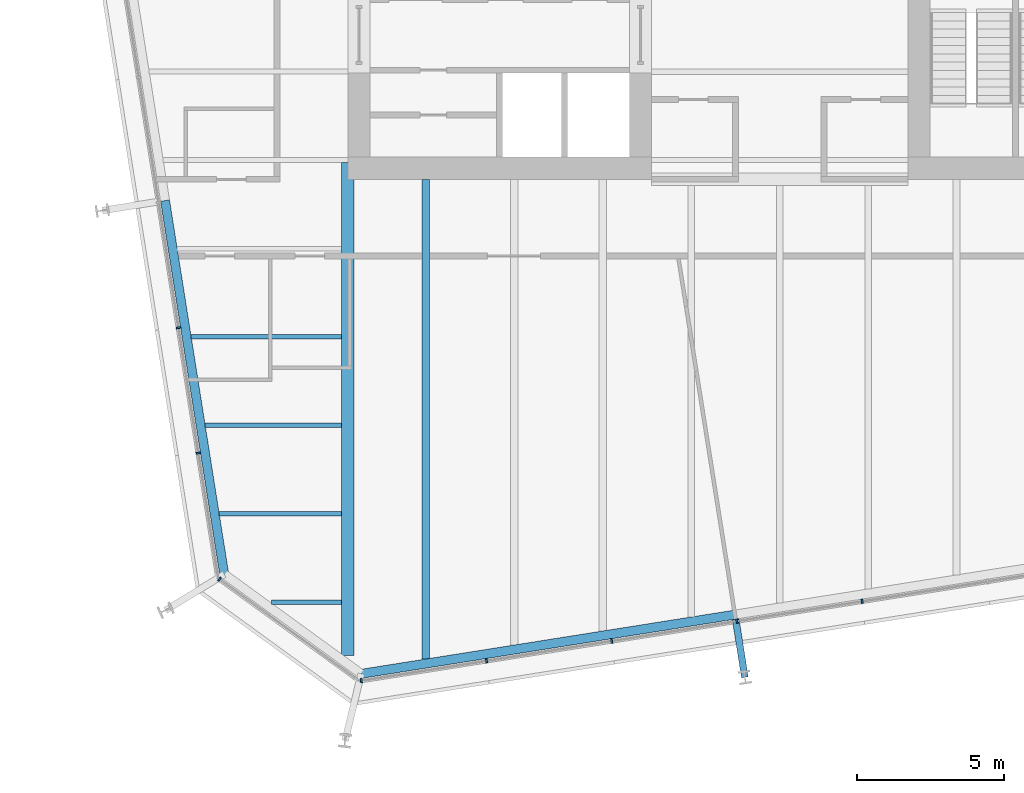
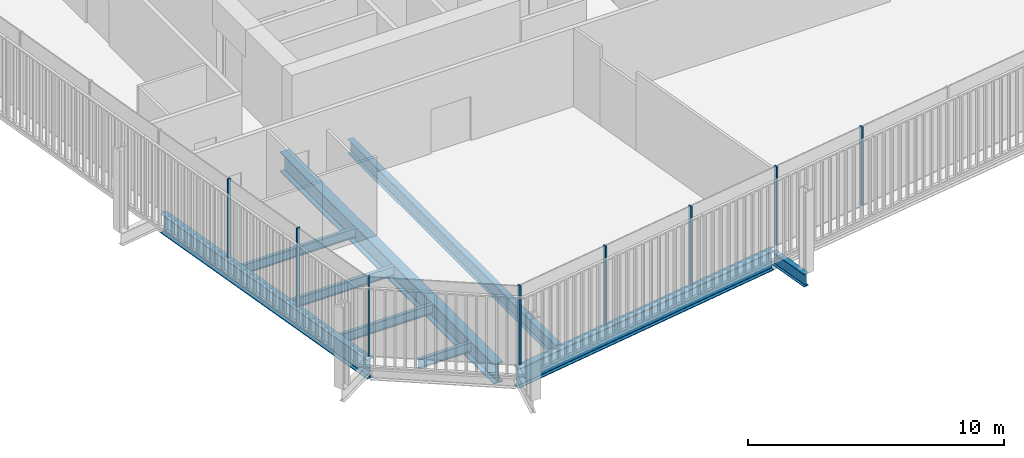
# One storey, part 2 of 21: 9 beams, 8 members, 3 elements without a shape of their own.
"""IFC4 building model written with IfcOpenShell, lengths in metres."""

from ifc_helpers import new_model, si_unit, direction, frame, origin, origin_2d, place, context, subcontext, project, spatial, rectangle, i_section, extrude, material, layer, layer_set, material_profile, profile_set, type_object, element, aggregate, save


model = new_model("IFC4")

# Units and contexts
model_context = context("Model", 3, precision=1e-05, world=origin(), true_north=direction((0.0, 1.0)))
body_context = subcontext(model_context, "Body", "Model", "MODEL_VIEW")
ifc_project = project(units=[si_unit("LENGTHUNIT", "METRE"), si_unit("AREAUNIT", "SQUARE_METRE"), si_unit("VOLUMEUNIT", "CUBIC_METRE"), si_unit("PLANEANGLEUNIT", "RADIAN"), si_unit("MASSUNIT", "GRAM", prefix="KILO")], contexts=[model_context])

# Site, building, storey
site_placement = place(None, origin())
site = spatial("IfcSite", under=ifc_project, at=site_placement, CompositionType="ELEMENT")
building_placement = place(site_placement, origin())
building = spatial("IfcBuilding", under=site, at=building_placement, Name="Millrace Tower", CompositionType="ELEMENT")
storey_placement = place(building_placement, frame((0.0, 0.0, 156.800048828125)))
storey = spatial("IfcBuildingStorey", under=building, at=storey_placement, Name="L35", CompositionType="ELEMENT", Elevation=156.800048828125)

# Curtain wall, member
ifc_material_1 = material(Name="Aluminium and glass", Category="aluminium")
ifc_layer = layer(ifc_material_1, 0.14990234375)
ifc_layer_set = layer_set([ifc_layer], Name="Aluminium and glass")
curtain_wall_type = type_object("IfcCurtainWallType", Name="CW-1 office vision curtain wall", PredefinedType="NOTDEFINED", material=ifc_layer_set)
placement = place(storey_placement, origin())
curtain_wall_1 = element("IfcCurtainWall", 1, at=placement, inside=storey, type_object=curtain_wall_type, Name="Curtain wall C-F01 L35", PredefinedType="NOTDEFINED")
ifc_material_2 = material(Name="Aluminium", Category="aluminium")
ifc_material_profile_1 = material_profile(ifc_material_2, rectangle(XDim=0.06494140625, YDim=0.14990234375, at=origin_2d()))
ifc_profile_set_1 = profile_set([ifc_material_profile_1], Name="Aluminium")
member_type = type_object("IfcMemberType", Name="CW-1 office vision curtain wall mullion", PredefinedType="MULLION", material=ifc_profile_set_1)
member_1_placement = place(storey_placement, frame((-19.00146484375, -23.2177734375, 0.139892578125), z_axis=(0.0, 0.0, 1.0), x_axis=(0.809016981623, -0.587785269844, 0.0)))
member_1 = element("IfcMember", 2, at=member_1_placement, type_object=member_type, Name="CW1 mullion C-F01.1", PredefinedType="MULLION", context=body_context, shape_type="SweptSolid", body=[
    extrude(rectangle(XDim=0.06494140625, YDim=0.14990234375, at=origin_2d()), origin(), (0.0, 0.0, 1.0), 3.760009765625),
])
aggregate(curtain_wall_1, [member_1])

# Curtain wall, members
curtain_wall_2 = element("IfcCurtainWall", 3, at=placement, inside=storey, type_object=curtain_wall_type, Name="Curtain wall C-F02 L35", PredefinedType="NOTDEFINED")
member_2_placement = place(storey_placement, frame((-14.191650390625, -26.65673828125, 0.139892578125), z_axis=(0.0, 0.0, 1.0), x_axis=(0.98768833929, 0.15643447328, 0.0)))
member_2 = element("IfcMember", 4, at=member_2_placement, type_object=member_type, Name="CW1 mullion C-F02.1", PredefinedType="MULLION", context=body_context, shape_type="SweptSolid", body=[
    extrude(rectangle(XDim=0.06494140625, YDim=0.14990234375, at=origin_2d()), origin(), (0.0, 0.0, 1.0), 3.760009765625),
])
member_3_placement = place(storey_placement, frame((-9.944580078125, -25.98388671875, 0.139892578125), z_axis=(0.0, 0.0, 1.0), x_axis=(0.98768833929, 0.15643447328, 0.0)))
member_3 = element("IfcMember", 5, at=member_3_placement, type_object=member_type, Name="CW1 mullion C-F02.2", PredefinedType="MULLION", context=body_context, shape_type="SweptSolid", body=[
    extrude(rectangle(XDim=0.06494140625, YDim=0.14990234375, at=origin_2d()), origin(), (0.0, 0.0, 1.0), 3.760009765625),
])
member_4_placement = place(storey_placement, frame((-5.697509765625, -25.311279296875, 0.139892578125), z_axis=(0.0, 0.0, 1.0), x_axis=(0.98768833929, 0.15643447328, 0.0)))
member_4 = element("IfcMember", 6, at=member_4_placement, type_object=member_type, Name="CW1 mullion C-F02.3", PredefinedType="MULLION", context=body_context, shape_type="SweptSolid", body=[
    extrude(rectangle(XDim=0.06494140625, YDim=0.14990234375, at=origin_2d()), origin(), (0.0, 0.0, 1.0), 3.760009765625),
])
member_5_placement = place(storey_placement, frame((-1.450439453125, -24.638671875, 0.139892578125), z_axis=(0.0, 0.0, 1.0), x_axis=(0.98768833929, 0.15643447328, 0.0)))
member_5 = element("IfcMember", 7, at=member_5_placement, type_object=member_type, Name="CW1 mullion C-F02.4", PredefinedType="MULLION", context=body_context, shape_type="SweptSolid", body=[
    extrude(rectangle(XDim=0.06494140625, YDim=0.14990234375, at=origin_2d()), origin(), (0.0, 0.0, 1.0), 3.760009765625),
])
member_6_placement = place(storey_placement, frame((2.796630859375, -23.966064453125, 0.139892578125), z_axis=(0.0, 0.0, 1.0), x_axis=(0.98768833929, 0.15643447328, 0.0)))
member_6 = element("IfcMember", 8, at=member_6_placement, type_object=member_type, Name="CW1 mullion C-F02.5", PredefinedType="MULLION", context=body_context, shape_type="SweptSolid", body=[
    extrude(rectangle(XDim=0.06494140625, YDim=0.14990234375, at=origin_2d()), origin(), (0.0, 0.0, 1.0), 3.760009765625),
])
aggregate(curtain_wall_2, [member_2, member_3, member_4, member_5, member_6])

curtain_wall_3 = element("IfcCurtainWall", 9, at=placement, inside=storey, type_object=curtain_wall_type, Name="Curtain wall C-F08 L35", PredefinedType="NOTDEFINED")
member_7_placement = place(storey_placement, frame((-20.39794921875, -14.687744140625, 0.139892578125), z_axis=(0.0, 0.0, 1.0), x_axis=(0.15643447328, -0.98768833929, 0.0)))
member_7 = element("IfcMember", 10, at=member_7_placement, type_object=member_type, Name="CW1 mullion C-F08.8", PredefinedType="MULLION", context=body_context, shape_type="SweptSolid", body=[
    extrude(rectangle(XDim=0.06494140625, YDim=0.14990234375, at=origin_2d()), origin(), (0.0, 0.0, 1.0), 3.760009765625),
])
member_8_placement = place(storey_placement, frame((-19.725341796875, -18.934814453125, 0.139892578125), z_axis=(0.0, 0.0, 1.0), x_axis=(0.15643447328, -0.98768833929, 0.0)))
member_8 = element("IfcMember", 11, at=member_8_placement, type_object=member_type, Name="CW1 mullion C-F08.9", PredefinedType="MULLION", context=body_context, shape_type="SweptSolid", body=[
    extrude(rectangle(XDim=0.06494140625, YDim=0.14990234375, at=origin_2d()), origin(), (0.0, 0.0, 1.0), 3.760009765625),
])
aggregate(curtain_wall_3, [member_7, member_8])

# Beams
ifc_material_3 = material(Name="Steel ASTM A992 Grade 50", Category="steel")
ifc_material_profile_2 = material_profile(ifc_material_3, i_section(OverallWidth=0.15234375, OverallDepth=0.449462890625, WebThickness=0.007568359375, FlangeThickness=0.0107421875, FilletRadius=0.01025390625, at=origin_2d()))
ifc_profile_set_2 = profile_set([ifc_material_profile_2], Name="Steel ASTM A992 Grade 50")
beam_type_1 = type_object("IfcBeamType", Name="Floor beam W18x35", PredefinedType="JOIST", material=ifc_profile_set_2)
beam_1_placement = place(storey_placement, frame((-19.01123046875, -21.0, -0.384765625), z_axis=(1.0, 0.0, 0.0), x_axis=(0.0, 1.0, 0.0)))
element("IfcBeam", 12, at=beam_1_placement, inside=storey, type_object=beam_type_1, Name="BM-C-L35-S1-S002", PredefinedType="JOIST", context=body_context, shape_type="SweptSolid", body=[
    extrude(i_section(OverallWidth=0.15234375, OverallDepth=0.449462890625, WebThickness=0.007568359375, FlangeThickness=0.0107421875, FilletRadius=0.01025390625, at=origin_2d()), origin(), (0.0, 0.0, 1.0), 4.151611328125),
])
beam_2_placement = place(storey_placement, frame((-19.486328125, -18.0, -0.384765625), z_axis=(1.0, 0.0, 0.0), x_axis=(0.0, 1.0, 0.0)))
element("IfcBeam", 13, at=beam_2_placement, inside=storey, type_object=beam_type_1, Name="BM-C-L35-S1-S004", PredefinedType="JOIST", context=body_context, shape_type="SweptSolid", body=[
    extrude(i_section(OverallWidth=0.15234375, OverallDepth=0.449462890625, WebThickness=0.007568359375, FlangeThickness=0.0107421875, FilletRadius=0.01025390625, at=origin_2d()), origin(), (0.0, 0.0, 1.0), 4.626708984375),
])
beam_3_placement = place(storey_placement, frame((-19.96142578125, -15.0, -0.384765625), z_axis=(1.0, 0.0, 0.0), x_axis=(0.0, 1.0, 0.0)))
element("IfcBeam", 14, at=beam_3_placement, inside=storey, type_object=beam_type_1, Name="BM-C-L35-S1-S006", PredefinedType="JOIST", context=body_context, shape_type="SweptSolid", body=[
    extrude(i_section(OverallWidth=0.15234375, OverallDepth=0.449462890625, WebThickness=0.007568359375, FlangeThickness=0.0107421875, FilletRadius=0.01025390625, at=origin_2d()), origin(), (0.0, 0.0, 1.0), 5.101806640625),
])
beam_4_placement = place(storey_placement, frame((-17.246337890625, -24.0, -0.384765625), z_axis=(1.0, 0.0, 0.0), x_axis=(0.0, 1.0, 0.0)))
element("IfcBeam", 15, at=beam_4_placement, inside=storey, type_object=beam_type_1, Name="BM-C-L35-S1-S001", PredefinedType="JOIST", context=body_context, shape_type="SweptSolid", body=[
    extrude(i_section(OverallWidth=0.15234375, OverallDepth=0.449462890625, WebThickness=0.007568359375, FlangeThickness=0.0107421875, FilletRadius=0.01025390625, at=origin_2d()), origin(), (0.0, 0.0, 1.0), 2.38671875),
])
ifc_material_4 = material(Name="Steel ASTM A992 Grade 50", Category="steel")
ifc_material_profile_3 = material_profile(ifc_material_4, i_section(OverallWidth=0.256591796875, OverallDepth=0.693359375, WebThickness=0.014404296875, FlangeThickness=0.023681640625, FilletRadius=0.01513671875, at=origin_2d()))
ifc_profile_set_3 = profile_set([ifc_material_profile_3], Name="Steel ASTM A992 Grade 50")
beam_type_2 = type_object("IfcBeamType", Name="Floor beam W27x114", PredefinedType="JOIST", material=ifc_profile_set_3)
beam_5_placement = place(storey_placement, frame((-12.0, -25.92236328125, -0.5068359375), z_axis=(0.0, 1.0, 0.0), x_axis=(-1.0, 0.0, 0.0)))
element("IfcBeam", 16, at=beam_5_placement, inside=storey, type_object=beam_type_2, Name="BM-C-L35-S1-S040", PredefinedType="JOIST", context=body_context, shape_type="SweptSolid", body=[
    extrude(i_section(OverallWidth=0.256591796875, OverallDepth=0.693359375, WebThickness=0.014404296875, FlangeThickness=0.023681640625, FilletRadius=0.01513671875, at=origin_2d()), origin(), (0.0, 0.0, 1.0), 16.2724609375),
])
ifc_material_5 = material(Name="Steel ASTM A992 Grade 50", Category="steel")
ifc_material_profile_4 = material_profile(ifc_material_5, i_section(OverallWidth=0.424072265625, OverallDepth=0.947509765625, WebThickness=0.02392578125, FlangeThickness=0.042724609375, FilletRadius=0.024169921875, at=origin_2d()))
ifc_profile_set_4 = profile_set([ifc_material_profile_4], Name="Steel ASTM A992 Grade 50")
beam_type_3 = type_object("IfcBeamType", Name="Girder medium span W36x302", PredefinedType="BEAM", material=ifc_profile_set_4)
beam_6_placement = place(storey_placement, frame((-14.64990234375, -25.806640625, -0.6337890625), z_axis=(0.0, 1.0, 0.0), x_axis=(-1.0, 0.0, 0.0)))
element("IfcBeam", 17, at=beam_6_placement, inside=storey, type_object=beam_type_3, Name="BM-C-L35-S1-G058", PredefinedType="BEAM", context=body_context, shape_type="SweptSolid", body=[
    extrude(i_section(OverallWidth=0.424072265625, OverallDepth=0.947509765625, WebThickness=0.02392578125, FlangeThickness=0.042724609375, FilletRadius=0.024169921875, at=origin_2d()), origin(), (0.0, 0.0, 1.0), 16.720703125),
])
ifc_material_6 = material(Name="Steel ASTM A992 Grade 50", Category="steel")
ifc_material_profile_5 = material_profile(ifc_material_6, i_section(OverallWidth=0.23046875, OverallDepth=0.6171875, WebThickness=0.01318359375, FlangeThickness=0.022216796875, FilletRadius=0.012939453125, at=origin_2d()))
ifc_profile_set_5 = profile_set([ifc_material_profile_5], Name="Steel ASTM A992 Grade 50")
beam_type_4 = type_object("IfcBeamType", Name="Link beam W24x94", PredefinedType="BEAM", material=ifc_profile_set_5)
beam_7_placement = place(storey_placement, frame((-1.494384765625, -24.569580078125, -0.46875), z_axis=(0.156476509441, -0.987681680499, 0.0), x_axis=(0.987681680499, 0.156476509441, 0.0)))
element("IfcBeam", 18, at=beam_7_placement, inside=storey, type_object=beam_type_4, Name="LNK-C-L35-S1-15", PredefinedType="BEAM", context=body_context, shape_type="SweptSolid", body=[
    extrude(i_section(OverallWidth=0.23046875, OverallDepth=0.6171875, WebThickness=0.01318359375, FlangeThickness=0.022216796875, FilletRadius=0.012939453125, at=origin_2d()), origin(), (0.0, 0.0, 1.0), 2.000244140625),
])
ifc_material_7 = material(Name="Steel ASTM A992 Grade 50", Category="steel")
ifc_material_profile_6 = material_profile(ifc_material_7, i_section(OverallWidth=0.307373046875, OverallDepth=0.927001953125, WebThickness=0.01953125, FlangeThickness=0.031982421875, FilletRadius=0.01904296875, at=origin_2d()))
ifc_profile_set_6 = profile_set([ifc_material_profile_6], Name="Steel ASTM A992 Grade 50")
beam_type_5 = type_object("IfcBeamType", Name="Ring beam medium span W36x194", PredefinedType="SPANDREL", material=ifc_profile_set_6)
beam_8_placement = place(storey_placement, frame((-18.841796875, -23.051025390625, -0.62353515625), z_axis=(-0.156436246498, 0.987688058438, 0.0), x_axis=(-0.987688058438, -0.156436246498, 0.0)))
element("IfcBeam", 19, at=beam_8_placement, inside=storey, type_object=beam_type_5, Name="RNG-C-L35-S1-01", PredefinedType="SPANDREL", context=body_context, shape_type="SweptSolid", body=[
    extrude(i_section(OverallWidth=0.307373046875, OverallDepth=0.927001953125, WebThickness=0.01953125, FlangeThickness=0.031982421875, FilletRadius=0.01904296875, at=origin_2d()), origin(), (0.0, 0.0, 1.0), 12.836181640625),
])
beam_9_placement = place(storey_placement, frame((-1.518310546875, -24.41796875, -0.62353515625), z_axis=(-0.987688523879, -0.15643330783, 0.0), x_axis=(0.15643330783, -0.987688523879, 0.0)))
element("IfcBeam", 20, at=beam_9_placement, inside=storey, type_object=beam_type_5, Name="RNG-C-L35-S1-15", PredefinedType="SPANDREL", context=body_context, shape_type="SweptSolid", body=[
    extrude(i_section(OverallWidth=0.307373046875, OverallDepth=0.927001953125, WebThickness=0.01953125, FlangeThickness=0.031982421875, FilletRadius=0.01904296875, at=origin_2d()), origin(), (0.0, 0.0, 1.0), 12.83642578125),
])

save(model, "model.ifc")
